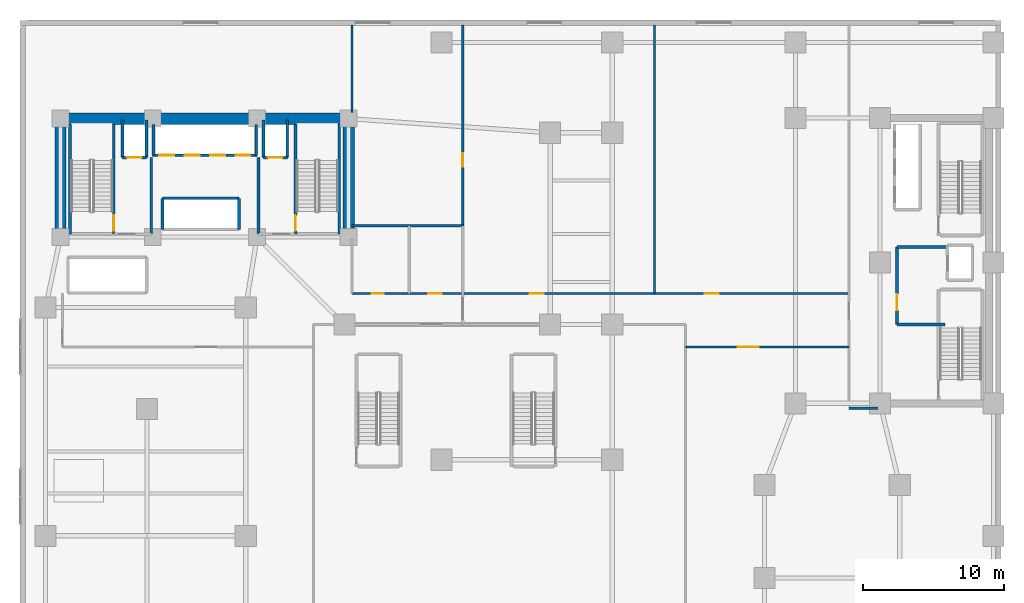
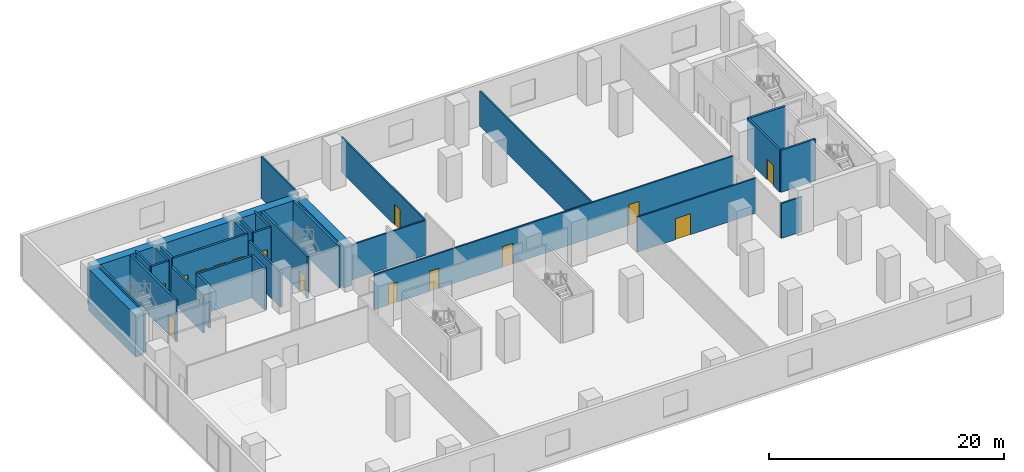
# One storey, part 9 of 14: 31 walls, 15 doors, 15 openings.
"""IFC4 building model written with IfcOpenShell, lengths in metres."""

from ifc_helpers import new_model, si_unit, direction, frame, frame_2d, origin, place, context, subcontext, project, spatial, rectangle, extrude, material, layer, layer_set, type_object, element, fill, save


model = new_model("IFC4")

# Units and contexts
model_context = context("Model", 3, precision=1e-05, world=origin(), true_north=direction((0.0, 1.0)))
body_context = subcontext(model_context, "Body", "Model", "MODEL_VIEW")
ifc_project = project(units=[si_unit("LENGTHUNIT", "METRE"), si_unit("AREAUNIT", "SQUARE_METRE"), si_unit("VOLUMEUNIT", "CUBIC_METRE"), si_unit("PLANEANGLEUNIT", "RADIAN"), si_unit("MASSUNIT", "GRAM", prefix="KILO")], contexts=[model_context])

# Site, building, storey
site_placement = place(None, origin())
site = spatial("IfcSite", under=ifc_project, at=site_placement, CompositionType="ELEMENT")
building_placement = place(site_placement, origin())
building = spatial("IfcBuilding", under=site, at=building_placement, Name="Kuzgunbayir Cultural Tower", CompositionType="ELEMENT")
storey_placement = place(building_placement, frame((0.0, 0.0, 13.0)))
storey = spatial("IfcBuildingStorey", under=building, at=storey_placement, Name="L03", CompositionType="ELEMENT", Elevation=13.0)

# Walls
ifc_material_1 = material(Name="Concrete C60/75", Category="concrete")
ifc_layer_1 = layer(ifc_material_1, 0.800048828125)
ifc_layer_set_1 = layer_set([ifc_layer_1], Name="Concrete C60/75")
wall_type_1 = type_object("IfcWallType", Name="WAL-CORE-800", PredefinedType="SHEAR", material=ifc_layer_set_1)
wall_1_placement = place(storey_placement, frame((6.449951171875, 42.199951171875, 0.0), z_axis=(0.0, 0.0, 1.0), x_axis=(1.0, 0.0, 0.0)))
element("IfcWall", 1, at=wall_1_placement, inside=storey, type_object=wall_type_1, Name="L03 T1 Core North Shear Wall", PredefinedType="SHEAR", context=body_context, shape_type="SweptSolid", body=[
    extrude(rectangle(XDim=20.449951171875, YDim=0.800048828125, at=frame_2d((10.22509765625, 0.0))), origin(), (0.0, 0.0, 1.0), 4.35009765625),
])
for number, where, z_axis, x_axis, name in (
    (2, (6.449951171875, 33.800048828125, 0.0), (0.0, 0.0, 1.0), (0.0, 1.0, 0.0), "L03 T1 Core West Shear Wall"),
    (3, (26.89990234375, 33.800048828125, 0.0), (0.0, 0.0, 1.0), (0.0, 1.0, 0.0), "L03 T1 Core East Shear Wall"),
):
    element("IfcWall", number, at=place(storey_placement, frame(where, z_axis=z_axis, x_axis=x_axis)), inside=storey, type_object=wall_type_1, Name=name, PredefinedType="SHEAR", context=body_context, shape_type="SweptSolid", body=[
        extrude(rectangle(XDim=7.949951171875, YDim=0.800048828125, at=frame_2d((3.97509765625, 0.0))), origin(), (0.0, 0.0, 1.0), 4.35009765625),
    ])

# Wall, opening, door
ifc_material_2 = material(Name="Acoustic Double-Stud Drywall", Category="gypsum")
ifc_layer_2 = layer(ifc_material_2, 0.14990234375)
ifc_layer_set_2 = layer_set([ifc_layer_2], Name="Acoustic Double-Stud Drywall")
wall_type_2 = type_object("IfcWallType", Name="WAL-PART-ACOUSTIC-150", PredefinedType="PARTITIONING", material=ifc_layer_set_2)
wall_2_placement = place(storey_placement, frame((50.800048828125, 26.0, 0.0), z_axis=(0.0, 0.0, 1.0), x_axis=(1.0, 0.0, 0.0)))
wall_2 = element("IfcWall", 4, at=wall_2_placement, inside=storey, type_object=wall_type_2, Name="L03 East Concourse South Wall", PredefinedType="PARTITIONING", context=body_context, shape_type="SweptSolid", body=[
    extrude(rectangle(XDim=11.599853515625, YDim=0.14990234375, at=frame_2d((5.7998046875, 0.0))), origin(), (0.0, 0.0, 1.0), 3.6298828125),
])
opening_1_placement = place(wall_2_placement, frame((3.699951171875, 0.0, 0.0)))
opening_1 = element("IfcOpeningElement", 5, at=opening_1_placement, cuts=wall_2, Name="Opening DI-150", PredefinedType="OPENING", context=body_context, shape_type="SweptSolid", body=[
    extrude(rectangle(XDim=1.5, YDim=2.179931640625, at=frame_2d((0.75, 1.08984375))), frame((0.0, 0.0849609375, 0.0), z_axis=(0.0, -1.0, 0.0), x_axis=(1.0, 0.0, 0.0)), (0.0, 0.0, 1.0), 0.169921875),
])
ifc_material_3 = material(Name="Veneered Oak Double Leaf", Category="wood")
door_type_1 = type_object("IfcDoorType", Name="DR-INT-150", OperationType="DOUBLE_DOOR_SINGLE_SWING", PredefinedType="DOOR", material=ifc_material_3)
door_1_placement = place(opening_1_placement, origin())
door_1 = element("IfcDoor", 6, at=door_1_placement, inside=storey, type_object=door_type_1, Name="L03 East Hall Double Door", OperationType="DOUBLE_DOOR_SINGLE_SWING", OverallHeight=2.179931640625, OverallWidth=1.5, PredefinedType="DOOR", context=body_context, shape_type="SweptSolid", body=[
    extrude(rectangle(XDim=1.5, YDim=2.179931640625, at=frame_2d((0.75, 1.08984375))), frame((0.0, 0.02490234375, 0.0), z_axis=(0.0, -1.0, 0.0), x_axis=(1.0, 0.0, 0.0)), (0.0, 0.0, 1.0), 0.050048828125),
])
fill(opening_1, door_1)

# Wall, openings, doors
wall_3_placement = place(storey_placement, frame((27.14990234375, 29.800048828125, 0.0), z_axis=(0.0, 0.0, 1.0), x_axis=(1.0, 0.0, 0.0)))
wall_3 = element("IfcWall", 7, at=wall_3_placement, inside=storey, type_object=wall_type_2, Name="L03 Grand Concourse North Wall", PredefinedType="PARTITIONING", context=body_context, shape_type="SweptSolid", body=[
    extrude(rectangle(XDim=35.25, YDim=0.14990234375, at=frame_2d((17.625, 0.0))), origin(), (0.0, 0.0, 1.0), 3.6298828125),
])
opening_2_placement = place(wall_3_placement, frame((25.0, 0.0, 0.0)))
opening_2 = element("IfcOpeningElement", 8, at=opening_2_placement, cuts=wall_3, Name="Opening DI-100", PredefinedType="OPENING", context=body_context, shape_type="SweptSolid", body=[
    extrude(rectangle(XDim=1.0, YDim=2.14990234375, at=frame_2d((0.5, 1.074951171875))), frame((0.0, 0.0849609375, 0.0), z_axis=(0.0, -1.0, 0.0), x_axis=(1.0, 0.0, 0.0)), (0.0, 0.0, 1.0), 0.169921875),
])
opening_3_placement = place(wall_3_placement, frame((1.39990234375, 0.0, 0.0)))
opening_3 = element("IfcOpeningElement", 9, at=opening_3_placement, cuts=wall_3, Name="Opening DW-85", PredefinedType="OPENING", context=body_context, shape_type="SweptSolid", body=[
    extrude(rectangle(XDim=0.85009765625, YDim=2.10009765625, at=frame_2d((0.425048828125, 1.050048828125))), frame((0.0, 0.0849609375, 0.0), z_axis=(0.0, -1.0, 0.0), x_axis=(1.0, 0.0, 0.0)), (0.0, 0.0, 1.0), 0.169921875),
])
opening_4_placement = place(wall_3_placement, frame((5.39990234375, 0.0, 0.0)))
opening_4 = element("IfcOpeningElement", 10, at=opening_4_placement, cuts=wall_3, Name="Opening DW-95", PredefinedType="OPENING", context=body_context, shape_type="SweptSolid", body=[
    extrude(rectangle(XDim=0.949951171875, YDim=2.10009765625, at=frame_2d((0.47509765625, 1.050048828125))), frame((0.0, 0.0849609375, 0.0), z_axis=(0.0, -1.0, 0.0), x_axis=(1.0, 0.0, 0.0)), (0.0, 0.0, 1.0), 0.169921875),
])
opening_5_placement = place(wall_3_placement, frame((12.60009765625, 0.0, 0.0)))
opening_5 = element("IfcOpeningElement", 11, at=opening_5_placement, cuts=wall_3, Name="Opening DI-100", PredefinedType="OPENING", context=body_context, shape_type="SweptSolid", body=[
    extrude(rectangle(XDim=1.0, YDim=2.14990234375, at=frame_2d((0.5, 1.074951171875))), frame((0.0, 0.0849609375, 0.0), z_axis=(0.0, -1.0, 0.0), x_axis=(1.0, 0.0, 0.0)), (0.0, 0.0, 1.0), 0.169921875),
])
ifc_material_4 = material(Name="Veneered Oak Single Leaf", Category="wood")
door_type_2 = type_object("IfcDoorType", Name="DR-INT-100", OperationType="NOTDEFINED", PredefinedType="DOOR", material=ifc_material_4)
door_2_placement = place(opening_2_placement, origin())
door_2 = element("IfcDoor", 12, at=door_2_placement, inside=storey, type_object=door_type_2, Name="L03 North Design Studio Door", OperationType="SINGLE_SWING_LEFT", OverallHeight=2.14990234375, OverallWidth=1.0, PredefinedType="DOOR", context=body_context, shape_type="SweptSolid", body=[
    extrude(rectangle(XDim=1.0, YDim=2.14990234375, at=frame_2d((0.5, 1.074951171875))), frame((0.0, 0.02490234375, 0.0), z_axis=(0.0, -1.0, 0.0), x_axis=(1.0, 0.0, 0.0)), (0.0, 0.0, 1.0), 0.050048828125),
])
fill(opening_2, door_2)
door_3_placement = place(opening_5_placement, origin())
door_3 = element("IfcDoor", 13, at=door_3_placement, inside=storey, type_object=door_type_2, Name="L03 North Hall Door", OperationType="SINGLE_SWING_LEFT", OverallHeight=2.14990234375, OverallWidth=1.0, PredefinedType="DOOR", context=body_context, shape_type="SweptSolid", body=[
    extrude(rectangle(XDim=1.0, YDim=2.14990234375, at=frame_2d((0.5, 1.074951171875))), frame((0.0, 0.02490234375, 0.0), z_axis=(0.0, -1.0, 0.0), x_axis=(1.0, 0.0, 0.0)), (0.0, 0.0, 1.0), 0.050048828125),
])
fill(opening_5, door_3)
ifc_material_5 = material(Name="Laminate Moisture-Resistant Leaf", Category="wood")
door_type_3 = type_object("IfcDoorType", Name="DR-WET-85", OperationType="NOTDEFINED", PredefinedType="DOOR", material=ifc_material_5)
door_4_placement = place(opening_3_placement, origin())
door_4 = element("IfcDoor", 14, at=door_4_placement, inside=storey, type_object=door_type_3, Name="L03 Public WC Door", OperationType="SINGLE_SWING_LEFT", OverallHeight=2.10009765625, OverallWidth=0.85009765625, PredefinedType="DOOR", context=body_context, shape_type="SweptSolid", body=[
    extrude(rectangle(XDim=0.85009765625, YDim=2.10009765625, at=frame_2d((0.425048828125, 1.050048828125))), frame((0.0, 0.02490234375, 0.0), z_axis=(0.0, -1.0, 0.0), x_axis=(1.0, 0.0, 0.0)), (0.0, 0.0, 1.0), 0.050048828125),
])
fill(opening_3, door_4)
door_type_4 = type_object("IfcDoorType", Name="DR-WET-95", OperationType="NOTDEFINED", PredefinedType="DOOR", material=ifc_material_5)
door_5_placement = place(opening_4_placement, origin())
door_5 = element("IfcDoor", 15, at=door_5_placement, inside=storey, type_object=door_type_4, Name="L03 Accessible WC Door", OperationType="SINGLE_SWING_RIGHT", OverallHeight=2.10009765625, OverallWidth=0.949951171875, PredefinedType="DOOR", context=body_context, shape_type="SweptSolid", body=[
    extrude(rectangle(XDim=0.949951171875, YDim=2.10009765625, at=frame_2d((0.47509765625, 1.050048828125))), frame((0.0, 0.02490234375, 0.0), z_axis=(0.0, -1.0, 0.0), x_axis=(1.0, 0.0, 0.0)), (0.0, 0.0, 1.0), 0.050048828125),
])
fill(opening_4, door_5)

# Wall, opening, door
wall_4_placement = place(storey_placement, frame((35.0, 34.60009765625, 0.0), z_axis=(0.0, 0.0, 1.0), x_axis=(0.0, 1.0, 0.0)))
wall_4 = element("IfcWall", 16, at=wall_4_placement, inside=storey, type_object=wall_type_2, Name="L03 Archive West Wall", PredefinedType="PARTITIONING", context=body_context, shape_type="SweptSolid", body=[
    extrude(rectangle(XDim=14.25, YDim=0.14990234375, at=frame_2d((7.125, 0.0))), origin(), (0.0, 0.0, 1.0), 3.6298828125),
])
opening_6_placement = place(wall_4_placement, frame((4.199951171875, 0.0, 0.0)))
opening_6 = element("IfcOpeningElement", 17, at=opening_6_placement, cuts=wall_4, Name="Opening DI-90", PredefinedType="OPENING", context=body_context, shape_type="SweptSolid", body=[
    extrude(rectangle(XDim=0.949951171875, YDim=2.14990234375, at=frame_2d((0.47509765625, 1.074951171875))), frame((0.0, 0.0849609375, 0.0), z_axis=(0.0, -1.0, 0.0), x_axis=(1.0, 0.0, 0.0)), (0.0, 0.0, 1.0), 0.169921875),
])
door_type_5 = type_object("IfcDoorType", Name="DR-INT-90", OperationType="NOTDEFINED", PredefinedType="DOOR", material=ifc_material_4)
door_6_placement = place(opening_6_placement, origin())
door_6 = element("IfcDoor", 18, at=door_6_placement, inside=storey, type_object=door_type_5, Name="L03 Collection Study Room Door", OperationType="SINGLE_SWING_RIGHT", OverallHeight=2.14990234375, OverallWidth=0.949951171875, PredefinedType="DOOR", context=body_context, shape_type="SweptSolid", body=[
    extrude(rectangle(XDim=0.949951171875, YDim=2.14990234375, at=frame_2d((0.47509765625, 1.074951171875))), frame((0.0, 0.02490234375, 0.0), z_axis=(0.0, -1.0, 0.0), x_axis=(1.0, 0.0, 0.0)), (0.0, 0.0, 1.0), 0.050048828125),
])
fill(opening_6, door_6)

# Walls
wall_5_placement = place(storey_placement, frame((48.60009765625, 29.800048828125, 0.0), z_axis=(0.0, 0.0, 1.0), x_axis=(0.0, 1.0, 0.0)))
element("IfcWall", 19, at=wall_5_placement, inside=storey, type_object=wall_type_2, Name="L03 North Gallery Divider", PredefinedType="PARTITIONING", context=body_context, shape_type="SweptSolid", body=[
    extrude(rectangle(XDim=19.050048828125, YDim=0.14990234375, at=frame_2d((9.52490234375, 0.0))), origin(), (0.0, 0.0, 1.0), 3.6298828125),
])
wall_6_placement = place(storey_placement, frame((62.39990234375, 21.64990234375, 0.0), z_axis=(0.0, 0.0, 1.0), x_axis=(1.0, 0.0, 0.0)))
element("IfcWall", 20, at=wall_6_placement, inside=storey, type_object=wall_type_2, Name="L03 Companion Core South Closure", PredefinedType="PARTITIONING", context=body_context, shape_type="SweptSolid", body=[
    extrude(rectangle(XDim=2.050048828125, YDim=0.14990234375, at=frame_2d((1.02490234375, 0.0))), origin(), (0.0, 0.0, 1.0), 3.6298828125),
])
ifc_material_6 = material(Name="Aerated Concrete Blockwork", Category="masonry")
ifc_layer_3 = layer(ifc_material_6, 0.199951171875)
ifc_layer_set_3 = layer_set([ifc_layer_3], Name="Aerated Concrete Blockwork")
wall_type_3 = type_object("IfcWallType", Name="WAL-PART-FIRE-200", PredefinedType="PARTITIONING", material=ifc_layer_set_3)
for number, where, z_axis, x_axis, name in (
    (21, (12.89990234375, 34.0, 0.0), (0.0, 0.0, 1.0), (0.0, 1.0, 0.0), "L03 FFL-1 Lobby East Fire Wall"),
    (22, (20.5, 34.0, 0.0), (0.0, 0.0, 1.0), (0.0, 1.0, 0.0), "L03 FFL-2 Lobby West Fire Wall"),
):
    element("IfcWall", number, at=place(storey_placement, frame(where, z_axis=z_axis, x_axis=x_axis)), inside=storey, type_object=wall_type_3, Name=name, PredefinedType="PARTITIONING", context=body_context, shape_type="SweptSolid", body=[
        extrude(rectangle(XDim=5.449951171875, YDim=0.199951171875, at=frame_2d((2.72509765625, 0.0))), origin(), (0.0, 0.0, 1.0), 3.6298828125),
    ])

# Wall, opening, door
wall_7_placement = place(storey_placement, frame((65.800048828125, 27.60009765625, 0.0), z_axis=(0.0, 0.0, 1.0), x_axis=(0.0, 1.0, 0.0)))
wall_7 = element("IfcWall", 23, at=wall_7_placement, inside=storey, type_object=wall_type_3, Name="L03 FFL-3 Lobby West Fire Wall", PredefinedType="PARTITIONING", context=body_context, shape_type="SweptSolid", body=[
    extrude(rectangle(XDim=5.5, YDim=0.199951171875, at=frame_2d((2.75, 0.0))), origin(), (0.0, 0.0, 1.0), 4.35009765625),
])
opening_7_placement = place(wall_7_placement, frame((1.0, 0.0, 0.0)))
opening_7 = element("IfcOpeningElement", 24, at=opening_7_placement, cuts=wall_7, Name="Opening DR-FFL-90", PredefinedType="OPENING", context=body_context, shape_type="SweptSolid", body=[
    extrude(rectangle(XDim=1.14990234375, YDim=2.14990234375, at=frame_2d((0.574951171875, 1.074951171875))), frame((0.0, 0.10986328125, 0.0), z_axis=(0.0, -1.0, 0.0), x_axis=(1.0, 0.0, 0.0)), (0.0, 0.0, 1.0), 0.219970703125),
])
ifc_material_7 = material(Name="Steel S355J2", Category="steel")
door_type_6 = type_object("IfcDoorType", Name="DR-FFL-90", OperationType="NOTDEFINED", PredefinedType="DOOR", material=ifc_material_7)
door_7_placement = place(opening_7_placement, origin())
door_7 = element("IfcDoor", 25, at=door_7_placement, inside=storey, type_object=door_type_6, Name="L03 Firefighting Lobby 3 Door", OperationType="SINGLE_SWING_RIGHT", OverallHeight=2.14990234375, OverallWidth=1.14990234375, PredefinedType="DOOR", context=body_context, shape_type="SweptSolid", body=[
    extrude(rectangle(XDim=1.14990234375, YDim=2.14990234375, at=frame_2d((0.574951171875, 1.074951171875))), frame((0.0, 0.02490234375, 0.0), z_axis=(0.0, -1.0, 0.0), x_axis=(1.0, 0.0, 0.0)), (0.0, 0.0, 1.0), 0.050048828125),
])
fill(opening_7, door_7)

# Walls
wall_8_placement = place(storey_placement, frame((65.800048828125, 33.10009765625, 0.0), z_axis=(0.0, 0.0, 1.0), x_axis=(1.0, 0.0, 0.0)))
element("IfcWall", 26, at=wall_8_placement, inside=storey, type_object=wall_type_3, Name="L03 FFL-3 Lobby North Fire Wall", PredefinedType="PARTITIONING", context=body_context, shape_type="SweptSolid", body=[
    extrude(rectangle(XDim=3.599853515625, YDim=0.199951171875, at=frame_2d((1.7998046875, 0.0))), origin(), (0.0, 0.0, 1.0), 4.35009765625),
])
wall_9_placement = place(storey_placement, frame((65.800048828125, 27.60009765625, 0.0), z_axis=(0.0, 0.0, 1.0), x_axis=(1.0, 0.0, 0.0)))
element("IfcWall", 27, at=wall_9_placement, inside=storey, type_object=wall_type_3, Name="L03 FFL-3 Lobby South Fire Wall", PredefinedType="PARTITIONING", context=body_context, shape_type="SweptSolid", body=[
    extrude(rectangle(XDim=3.39990234375, YDim=0.199951171875, at=frame_2d((1.699951171875, 0.0))), origin(), (0.0, 0.0, 1.0), 4.35009765625),
])
ifc_material_8 = material(Name="Moisture-Resistant Tile Partition", Category="gypsum")
ifc_layer_4 = layer(ifc_material_8, 0.14990234375)
ifc_layer_set_4 = layer_set([ifc_layer_4], Name="Moisture-Resistant Tile Partition")
wall_type_4 = type_object("IfcWallType", Name="WAL-PART-WET-150", PredefinedType="PARTITIONING", material=ifc_layer_set_4)
wall_10_placement = place(storey_placement, frame((27.14990234375, 42.64990234375, 0.0), z_axis=(0.0, 0.0, 1.0), x_axis=(0.0, 1.0, 0.0)))
element("IfcWall", 28, at=wall_10_placement, inside=storey, type_object=wall_type_4, Name="L03 Core East Partition North", PredefinedType="PARTITIONING", context=body_context, shape_type="SweptSolid", body=[
    extrude(rectangle(XDim=6.2001953125, YDim=0.14990234375, at=frame_2d((3.10009765625, 0.0))), origin(), (0.0, 0.0, 1.0), 4.35009765625),
])
wall_11_placement = place(storey_placement, frame((27.14990234375, 34.60009765625, 0.0), z_axis=(0.0, 0.0, 1.0), x_axis=(1.0, 0.0, 0.0)))
element("IfcWall", 29, at=wall_11_placement, inside=storey, type_object=wall_type_4, Name="L03 Restroom North Back Wall", PredefinedType="PARTITIONING", context=body_context, shape_type="SweptSolid", body=[
    extrude(rectangle(XDim=7.85009765625, YDim=0.14990234375, at=frame_2d((3.925048828125, 0.0))), origin(), (0.0, 0.0, 1.0), 3.6298828125),
])

# Wall, opening, door
ifc_material_9 = material(Name="Concrete C40/50", Category="concrete")
ifc_layer_5 = layer(ifc_material_9, 0.199951171875)
ifc_layer_set_5 = layer_set([ifc_layer_5], Name="Concrete C40/50")
wall_type_5 = type_object("IfcWallType", Name="WAL-SHAFT-200", PredefinedType="MOVABLE", material=ifc_layer_set_5)
wall_12_placement = place(storey_placement, frame((10.85009765625, 39.449951171875, 0.0), z_axis=(0.0, 0.0, 1.0), x_axis=(1.0, 0.0, 0.0)))
wall_12 = element("IfcWall", 30, at=wall_12_placement, inside=storey, type_object=wall_type_5, Name="L03 FFL-1 Lift Front Wall", PredefinedType="MOVABLE", context=body_context, shape_type="SweptSolid", body=[
    extrude(rectangle(XDim=1.699951171875, YDim=0.199951171875, at=frame_2d((0.85009765625, 0.0))), origin(), (0.0, 0.0, 1.0), 4.35009765625),
])
opening_8_placement = place(wall_12_placement, frame((0.320068359375, 0.0, 0.0)))
opening_8 = element("IfcOpeningElement", 31, at=opening_8_placement, cuts=wall_12, Name="Opening LD", PredefinedType="OPENING", context=body_context, shape_type="SweptSolid", body=[
    extrude(rectangle(XDim=1.050048828125, YDim=2.14990234375, at=frame_2d((0.52490234375, 1.074951171875))), frame((0.0, 0.10986328125, 0.0), z_axis=(0.0, -1.0, 0.0), x_axis=(1.0, 0.0, 0.0)), (0.0, 0.0, 1.0), 0.219970703125),
])
ifc_material_10 = material(Name="Brushed Stainless Steel", Category="steel")
door_type_7 = type_object("IfcDoorType", Name="DR-LIFT-LANDING", OperationType="SLIDING_TO_LEFT", PredefinedType="DOOR", material=ifc_material_10)
door_8_placement = place(opening_8_placement, origin())
door_8 = element("IfcDoor", 32, at=door_8_placement, inside=storey, type_object=door_type_7, Name="L03 Lift FFL-1 Landing Door", OperationType="SLIDING_TO_LEFT", OverallHeight=2.14990234375, OverallWidth=1.050048828125, PredefinedType="DOOR", context=body_context, shape_type="SweptSolid", body=[
    extrude(rectangle(XDim=1.050048828125, YDim=2.14990234375, at=frame_2d((0.52490234375, 1.074951171875))), frame((0.0, 0.02490234375, 0.0), z_axis=(0.0, -1.0, 0.0), x_axis=(1.0, 0.0, 0.0)), (0.0, 0.0, 1.0), 0.050048828125),
])
fill(opening_8, door_8)

wall_13_placement = place(storey_placement, frame((20.85009765625, 39.449951171875, 0.0), z_axis=(0.0, 0.0, 1.0), x_axis=(1.0, 0.0, 0.0)))
wall_13 = element("IfcWall", 33, at=wall_13_placement, inside=storey, type_object=wall_type_5, Name="L03 FFL-2 Lift Front Wall", PredefinedType="MOVABLE", context=body_context, shape_type="SweptSolid", body=[
    extrude(rectangle(XDim=1.699951171875, YDim=0.199951171875, at=frame_2d((0.85009765625, 0.0))), origin(), (0.0, 0.0, 1.0), 4.35009765625),
])
opening_9_placement = place(wall_13_placement, frame((0.320068359375, 0.0, 0.0)))
opening_9 = element("IfcOpeningElement", 34, at=opening_9_placement, cuts=wall_13, Name="Opening LD", PredefinedType="OPENING", context=body_context, shape_type="SweptSolid", body=[
    extrude(rectangle(XDim=1.050048828125, YDim=2.14990234375, at=frame_2d((0.52490234375, 1.074951171875))), frame((0.0, 0.10986328125, 0.0), z_axis=(0.0, -1.0, 0.0), x_axis=(1.0, 0.0, 0.0)), (0.0, 0.0, 1.0), 0.219970703125),
])
door_9_placement = place(opening_9_placement, origin())
door_9 = element("IfcDoor", 35, at=door_9_placement, inside=storey, type_object=door_type_7, Name="L03 Lift FFL-2 Landing Door", OperationType="SLIDING_TO_LEFT", OverallHeight=2.14990234375, OverallWidth=1.050048828125, PredefinedType="DOOR", context=body_context, shape_type="SweptSolid", body=[
    extrude(rectangle(XDim=1.050048828125, YDim=2.14990234375, at=frame_2d((0.52490234375, 1.074951171875))), frame((0.0, 0.02490234375, 0.0), z_axis=(0.0, -1.0, 0.0), x_axis=(1.0, 0.0, 0.0)), (0.0, 0.0, 1.0), 0.050048828125),
])
fill(opening_9, door_9)

# Walls
for number, where, z_axis, x_axis, name in (
    (36, (10.85009765625, 39.449951171875, 0.0), (0.0, 0.0, 1.0), (0.0, 1.0, 0.0), "L03 FFL-1 Shaft West Wall"),
    (37, (12.550048828125, 39.449951171875, 0.0), (0.0, 0.0, 1.0), (0.0, 1.0, 0.0), "L03 FFL-1 Shaft East Wall"),
    (38, (20.85009765625, 39.449951171875, 0.0), (0.0, 0.0, 1.0), (0.0, 1.0, 0.0), "L03 FFL-2 Shaft West Wall"),
    (39, (22.550048828125, 39.449951171875, 0.0), (0.0, 0.0, 1.0), (0.0, 1.0, 0.0), "L03 FFL-2 Shaft East Wall"),
):
    element("IfcWall", number, at=place(storey_placement, frame(where, z_axis=z_axis, x_axis=x_axis)), inside=storey, type_object=wall_type_5, Name=name, PredefinedType="MOVABLE", context=body_context, shape_type="SweptSolid", body=[
        extrude(rectangle(XDim=2.650146484375, YDim=0.199951171875, at=frame_2d((1.3251953125, 0.0))), origin(), (0.0, 0.0, 1.0), 4.35009765625),
    ])

# Wall, openings, doors
wall_14_placement = place(storey_placement, frame((13.0, 39.60009765625, 0.0), z_axis=(0.0, 0.0, 1.0), x_axis=(1.0, 0.0, 0.0)))
wall_14 = element("IfcWall", 40, at=wall_14_placement, inside=storey, type_object=wall_type_5, Name="L03 Low-Rise Lift Front Wall", PredefinedType="MOVABLE", context=body_context, shape_type="SweptSolid", body=[
    extrude(rectangle(XDim=7.39990234375, YDim=0.199951171875, at=frame_2d((3.699951171875, 0.0))), origin(), (0.0, 0.0, 1.0), 4.35009765625),
])
opening_10_placement = place(wall_14_placement, frame((0.469970703125, 0.0, 0.0)))
opening_10 = element("IfcOpeningElement", 41, at=opening_10_placement, cuts=wall_14, Name="Opening LD", PredefinedType="OPENING", context=body_context, shape_type="SweptSolid", body=[
    extrude(rectangle(XDim=1.050048828125, YDim=2.14990234375, at=frame_2d((0.52490234375, 1.074951171875))), frame((0.0, 0.10986328125, 0.0), z_axis=(0.0, -1.0, 0.0), x_axis=(1.0, 0.0, 0.0)), (0.0, 0.0, 1.0), 0.219970703125),
])
opening_11_placement = place(wall_14_placement, frame((2.280029296875, 0.0, 0.0)))
opening_11 = element("IfcOpeningElement", 42, at=opening_11_placement, cuts=wall_14, Name="Opening LD", PredefinedType="OPENING", context=body_context, shape_type="SweptSolid", body=[
    extrude(rectangle(XDim=1.050048828125, YDim=2.14990234375, at=frame_2d((0.52490234375, 1.074951171875))), frame((0.0, 0.10986328125, 0.0), z_axis=(0.0, -1.0, 0.0), x_axis=(1.0, 0.0, 0.0)), (0.0, 0.0, 1.0), 0.219970703125),
])
opening_12_placement = place(wall_14_placement, frame((4.080078125, 0.0, 0.0)))
opening_12 = element("IfcOpeningElement", 43, at=opening_12_placement, cuts=wall_14, Name="Opening LD", PredefinedType="OPENING", context=body_context, shape_type="SweptSolid", body=[
    extrude(rectangle(XDim=1.050048828125, YDim=2.14990234375, at=frame_2d((0.52490234375, 1.074951171875))), frame((0.0, 0.10986328125, 0.0), z_axis=(0.0, -1.0, 0.0), x_axis=(1.0, 0.0, 0.0)), (0.0, 0.0, 1.0), 0.219970703125),
])
opening_13_placement = place(wall_14_placement, frame((5.8798828125, 0.0, 0.0)))
opening_13 = element("IfcOpeningElement", 44, at=opening_13_placement, cuts=wall_14, Name="Opening LD", PredefinedType="OPENING", context=body_context, shape_type="SweptSolid", body=[
    extrude(rectangle(XDim=1.050048828125, YDim=2.14990234375, at=frame_2d((0.52490234375, 1.074951171875))), frame((0.0, 0.10986328125, 0.0), z_axis=(0.0, -1.0, 0.0), x_axis=(1.0, 0.0, 0.0)), (0.0, 0.0, 1.0), 0.219970703125),
])
door_10_placement = place(opening_10_placement, origin())
door_10 = element("IfcDoor", 45, at=door_10_placement, inside=storey, type_object=door_type_7, Name="L03 Lift PL-1 Landing Door", OperationType="SLIDING_TO_LEFT", OverallHeight=2.14990234375, OverallWidth=1.050048828125, PredefinedType="DOOR", context=body_context, shape_type="SweptSolid", body=[
    extrude(rectangle(XDim=1.050048828125, YDim=2.14990234375, at=frame_2d((0.52490234375, 1.074951171875))), frame((0.0, 0.02490234375, 0.0), z_axis=(0.0, -1.0, 0.0), x_axis=(1.0, 0.0, 0.0)), (0.0, 0.0, 1.0), 0.050048828125),
])
fill(opening_10, door_10)
door_11_placement = place(opening_11_placement, origin())
door_11 = element("IfcDoor", 46, at=door_11_placement, inside=storey, type_object=door_type_7, Name="L03 Lift PL-2 Landing Door", OperationType="SLIDING_TO_LEFT", OverallHeight=2.14990234375, OverallWidth=1.050048828125, PredefinedType="DOOR", context=body_context, shape_type="SweptSolid", body=[
    extrude(rectangle(XDim=1.050048828125, YDim=2.14990234375, at=frame_2d((0.52490234375, 1.074951171875))), frame((0.0, 0.02490234375, 0.0), z_axis=(0.0, -1.0, 0.0), x_axis=(1.0, 0.0, 0.0)), (0.0, 0.0, 1.0), 0.050048828125),
])
fill(opening_11, door_11)
door_12_placement = place(opening_12_placement, origin())
door_12 = element("IfcDoor", 47, at=door_12_placement, inside=storey, type_object=door_type_7, Name="L03 Lift PL-3 Landing Door", OperationType="SLIDING_TO_LEFT", OverallHeight=2.14990234375, OverallWidth=1.050048828125, PredefinedType="DOOR", context=body_context, shape_type="SweptSolid", body=[
    extrude(rectangle(XDim=1.050048828125, YDim=2.14990234375, at=frame_2d((0.52490234375, 1.074951171875))), frame((0.0, 0.02490234375, 0.0), z_axis=(0.0, -1.0, 0.0), x_axis=(1.0, 0.0, 0.0)), (0.0, 0.0, 1.0), 0.050048828125),
])
fill(opening_12, door_12)
door_13_placement = place(opening_13_placement, origin())
door_13 = element("IfcDoor", 48, at=door_13_placement, inside=storey, type_object=door_type_7, Name="L03 Lift PL-4 Landing Door", OperationType="SLIDING_TO_LEFT", OverallHeight=2.14990234375, OverallWidth=1.050048828125, PredefinedType="DOOR", context=body_context, shape_type="SweptSolid", body=[
    extrude(rectangle(XDim=1.050048828125, YDim=2.14990234375, at=frame_2d((0.52490234375, 1.074951171875))), frame((0.0, 0.02490234375, 0.0), z_axis=(0.0, -1.0, 0.0), x_axis=(1.0, 0.0, 0.0)), (0.0, 0.0, 1.0), 0.050048828125),
])
fill(opening_13, door_13)

# Walls
for number, where, z_axis, x_axis, name in (
    (49, (13.050048828125, 39.60009765625, 0.0), (0.0, 0.0, 1.0), (0.0, 1.0, 0.0), "L03 Low-Rise Lift Shaft West Wall"),
    (50, (20.35009765625, 39.60009765625, 0.0), (0.0, 0.0, 1.0), (0.0, 1.0, 0.0), "L03 Low-Rise Lift Shaft East Wall"),
):
    element("IfcWall", number, at=place(storey_placement, frame(where, z_axis=z_axis, x_axis=x_axis)), inside=storey, type_object=wall_type_5, Name=name, PredefinedType="MOVABLE", context=body_context, shape_type="SweptSolid", body=[
        extrude(rectangle(XDim=2.179931640625, YDim=0.199951171875, at=frame_2d((1.08984375, 0.0))), origin(), (0.0, 0.0, 1.0), 4.35009765625),
    ])
wall_15_placement = place(storey_placement, frame((13.699951171875, 36.550048828125, 0.0), z_axis=(0.0, 0.0, 1.0), x_axis=(1.0, 0.0, 0.0)))
element("IfcWall", 51, at=wall_15_placement, inside=storey, type_object=wall_type_5, Name="L03 Mid-Rise Lift Shaft North Wall", PredefinedType="MOVABLE", context=body_context, shape_type="SweptSolid", body=[
    extrude(rectangle(XDim=5.420166015625, YDim=0.199951171875, at=frame_2d((2.7099609375, 0.0))), origin(), (0.0, 0.0, 1.0), 4.35009765625),
])
for number, where, z_axis, x_axis, name in (
    (52, (13.699951171875, 34.35009765625, 0.0), (0.0, 0.0, 1.0), (0.0, 1.0, 0.0), "L03 Mid-Rise Lift Shaft West Wall"),
    (53, (19.1201171875, 34.35009765625, 0.0), (0.0, 0.0, 1.0), (0.0, 1.0, 0.0), "L03 Mid-Rise Lift Shaft East Wall"),
):
    element("IfcWall", number, at=place(storey_placement, frame(where, z_axis=z_axis, x_axis=x_axis)), inside=storey, type_object=wall_type_5, Name=name, PredefinedType="MOVABLE", context=body_context, shape_type="SweptSolid", body=[
        extrude(rectangle(XDim=2.199951171875, YDim=0.199951171875, at=frame_2d((1.10009765625, 0.0))), origin(), (0.0, 0.0, 1.0), 4.35009765625),
    ])
ifc_layer_6 = layer(ifc_material_9, 0.199951171875)
ifc_layer_set_6 = layer_set([ifc_layer_6], Name="Concrete C40/50")
wall_type_6 = type_object("IfcWallType", Name="WAL-STAIR-RC-200", PredefinedType="SHEAR", material=ifc_layer_set_6)
wall_16_placement = place(storey_placement, frame((7.1201171875, 34.02001953125, 0.0), z_axis=(0.0, 0.0, 1.0), x_axis=(0.0, 1.0, 0.0)))
element("IfcWall", 54, at=wall_16_placement, inside=storey, type_object=wall_type_6, Name="L03 Stair ST-1 West Structural Wall", PredefinedType="SHEAR", context=body_context, shape_type="SweptSolid", body=[
    extrude(rectangle(XDim=7.780029296875, YDim=0.199951171875, at=frame_2d((3.89013671875, 0.0))), origin(), (0.0, 0.0, 1.0), 4.35009765625),
])

# Wall, opening, door
wall_17_placement = place(storey_placement, frame((10.239990234375, 34.02001953125, 0.0), z_axis=(0.0, 0.0, 1.0), x_axis=(0.0, 1.0, 0.0)))
wall_17 = element("IfcWall", 55, at=wall_17_placement, inside=storey, type_object=wall_type_6, Name="L03 Stair ST-1 East Structural Wall", PredefinedType="SHEAR", context=body_context, shape_type="SweptSolid", body=[
    extrude(rectangle(XDim=7.780029296875, YDim=0.199951171875, at=frame_2d((3.89013671875, 0.0))), origin(), (0.0, 0.0, 1.0), 4.35009765625),
])
opening_14_placement = place(wall_17_placement, frame((0.219970703125, 0.0, 0.0)))
opening_14 = element("IfcOpeningElement", 56, at=opening_14_placement, cuts=wall_17, Name="Opening DR-STAIR-90", PredefinedType="OPENING", context=body_context, shape_type="SweptSolid", body=[
    extrude(rectangle(XDim=1.10009765625, YDim=2.14990234375, at=frame_2d((0.550048828125, 1.074951171875))), frame((0.0, 0.10986328125, 0.0), z_axis=(0.0, -1.0, 0.0), x_axis=(1.0, 0.0, 0.0)), (0.0, 0.0, 1.0), 0.219970703125),
])
door_type_8 = type_object("IfcDoorType", Name="DR-STAIR-90", OperationType="NOTDEFINED", PredefinedType="DOOR", material=ifc_material_7)
door_14_placement = place(opening_14_placement, origin())
door_14 = element("IfcDoor", 57, at=door_14_placement, inside=storey, type_object=door_type_8, Name="L03 Stair ST-1 Fire Door", OperationType="SINGLE_SWING_LEFT", OverallHeight=2.14990234375, OverallWidth=1.10009765625, PredefinedType="DOOR", context=body_context, shape_type="SweptSolid", body=[
    extrude(rectangle(XDim=1.10009765625, YDim=2.14990234375, at=frame_2d((0.550048828125, 1.074951171875))), frame((0.0, 0.02490234375, 0.0), z_axis=(0.0, -1.0, 0.0), x_axis=(1.0, 0.0, 0.0)), (0.0, 0.0, 1.0), 0.050048828125),
])
fill(opening_14, door_14)

wall_18_placement = place(storey_placement, frame((23.1201171875, 34.02001953125, 0.0), z_axis=(0.0, 0.0, 1.0), x_axis=(0.0, 1.0, 0.0)))
wall_18 = element("IfcWall", 58, at=wall_18_placement, inside=storey, type_object=wall_type_6, Name="L03 Stair ST-2 West Structural Wall", PredefinedType="SHEAR", context=body_context, shape_type="SweptSolid", body=[
    extrude(rectangle(XDim=7.780029296875, YDim=0.199951171875, at=frame_2d((3.89013671875, 0.0))), origin(), (0.0, 0.0, 1.0), 4.35009765625),
])
opening_15_placement = place(wall_18_placement, frame((0.219970703125, 0.0, 0.0)))
opening_15 = element("IfcOpeningElement", 59, at=opening_15_placement, cuts=wall_18, Name="Opening DR-STAIR-90", PredefinedType="OPENING", context=body_context, shape_type="SweptSolid", body=[
    extrude(rectangle(XDim=1.10009765625, YDim=2.14990234375, at=frame_2d((0.550048828125, 1.074951171875))), frame((0.0, 0.10986328125, 0.0), z_axis=(0.0, -1.0, 0.0), x_axis=(1.0, 0.0, 0.0)), (0.0, 0.0, 1.0), 0.219970703125),
])
door_15_placement = place(opening_15_placement, origin())
door_15 = element("IfcDoor", 60, at=door_15_placement, inside=storey, type_object=door_type_8, Name="L03 Stair ST-2 Fire Door", OperationType="SINGLE_SWING_LEFT", OverallHeight=2.14990234375, OverallWidth=1.10009765625, PredefinedType="DOOR", context=body_context, shape_type="SweptSolid", body=[
    extrude(rectangle(XDim=1.10009765625, YDim=2.14990234375, at=frame_2d((0.550048828125, 1.074951171875))), frame((0.0, 0.02490234375, 0.0), z_axis=(0.0, -1.0, 0.0), x_axis=(1.0, 0.0, 0.0)), (0.0, 0.0, 1.0), 0.050048828125),
])
fill(opening_15, door_15)

# Wall
wall_19_placement = place(storey_placement, frame((26.239990234375, 34.02001953125, 0.0), z_axis=(0.0, 0.0, 1.0), x_axis=(0.0, 1.0, 0.0)))
element("IfcWall", 61, at=wall_19_placement, inside=storey, type_object=wall_type_6, Name="L03 Stair ST-2 East Structural Wall", PredefinedType="SHEAR", context=body_context, shape_type="SweptSolid", body=[
    extrude(rectangle(XDim=7.780029296875, YDim=0.199951171875, at=frame_2d((3.89013671875, 0.0))), origin(), (0.0, 0.0, 1.0), 4.35009765625),
])

save(model, "model.ifc")
